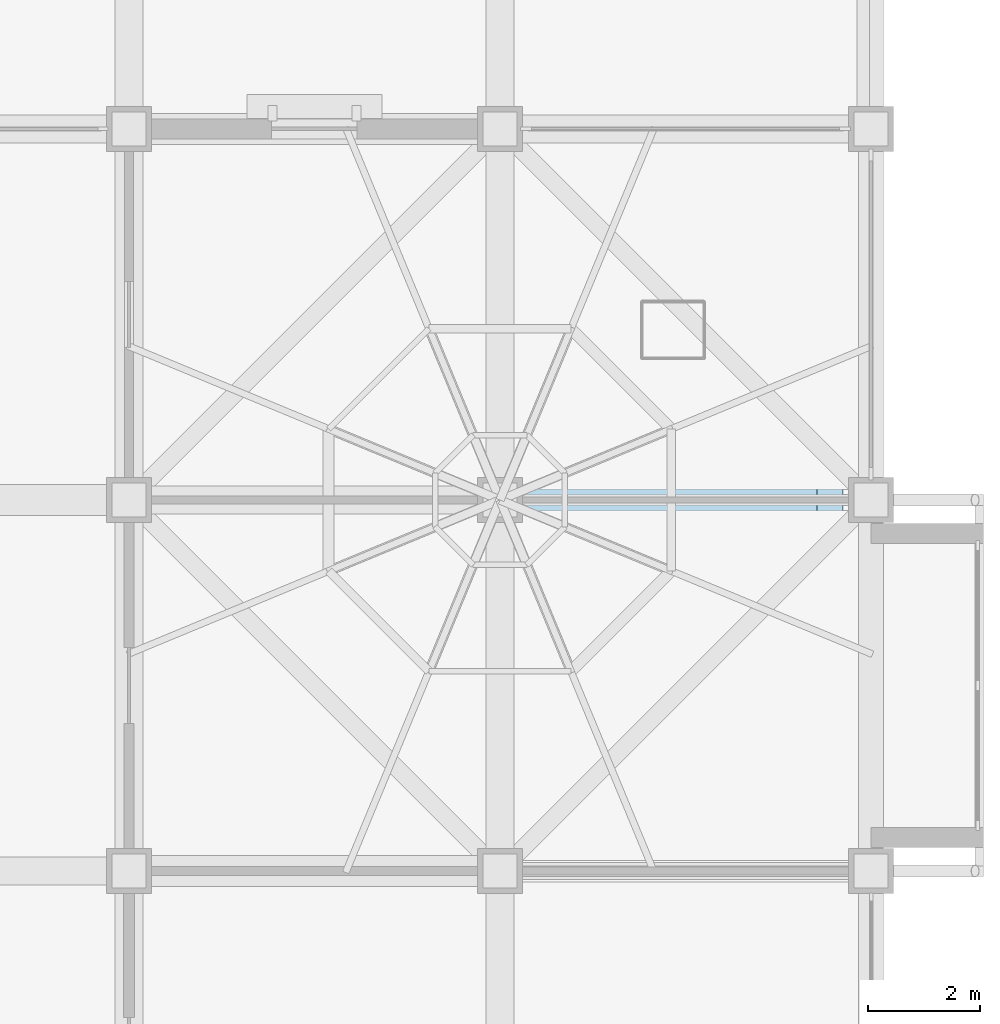
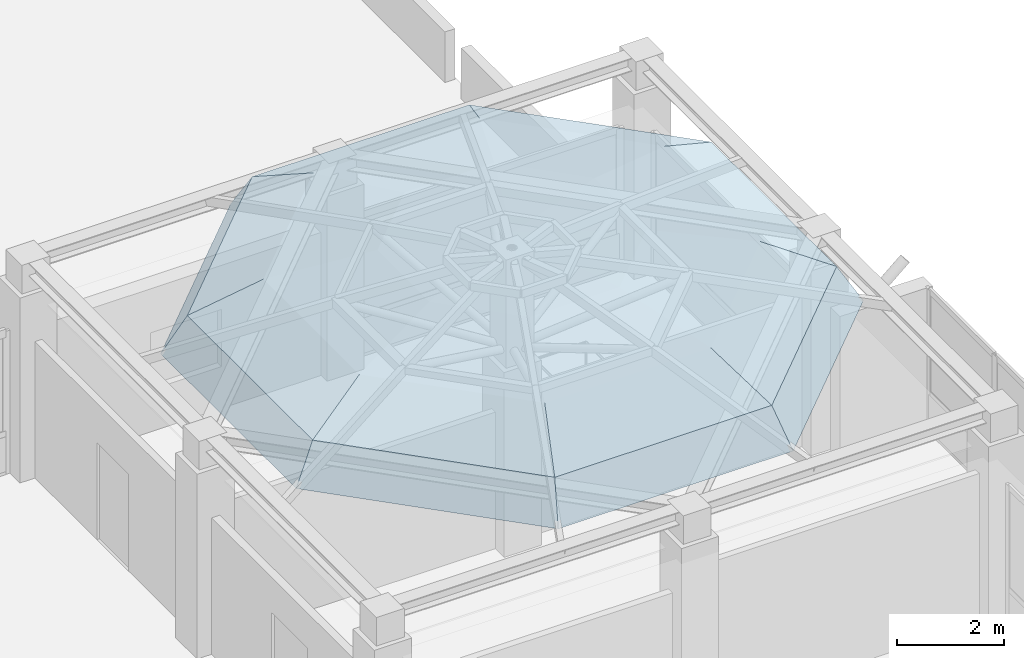
# One storey, part 27 of 30: 1 roof.
"""IFC4 building model written with IfcOpenShell, lengths in metres."""

from ifc_helpers import new_model, si_unit, direction, frame, origin, place, context, subcontext, project, spatial, polygons, material, layer, layer_set, type_object, element, save


model = new_model("IFC4")

# Units and contexts
model_context = context("Model", 3, precision=1e-05, world=origin(), true_north=direction((0.0, 1.0)))
body_context = subcontext(model_context, "Body", "Model", "MODEL_VIEW")
ifc_project = project(units=[si_unit("LENGTHUNIT", "METRE"), si_unit("AREAUNIT", "SQUARE_METRE"), si_unit("VOLUMEUNIT", "CUBIC_METRE"), si_unit("PLANEANGLEUNIT", "RADIAN"), si_unit("MASSUNIT", "GRAM", prefix="KILO")], contexts=[model_context])

# Site, building, storey
site_placement = place(None, origin())
site = spatial("IfcSite", under=ifc_project, at=site_placement, CompositionType="ELEMENT")
building_placement = place(site_placement, origin())
building = spatial("IfcBuilding", under=site, at=building_placement, Name="Rusizi Kubbe Research Institute", CompositionType="ELEMENT")
storey_placement = place(building_placement, frame((0.0, 0.0, 10.199951171875)))
storey = spatial("IfcBuildingStorey", under=building, at=storey_placement, Name="L02", CompositionType="ELEMENT", Elevation=10.199951171875)

# Roof
ifc_material = material(Name="Standing Seam Zinc Insulated Shell")
ifc_layer = layer(ifc_material, 0.179931640625)
ifc_layer_set = layer_set([ifc_layer], Name="Standing Seam Zinc Insulated Shell")
roof_type = type_object("IfcRoofType", Name="RF-03", PredefinedType="DOME_ROOF", material=ifc_layer_set)
roof_placement = place(storey_placement, frame((19.800048828125, 112.199951171875, 4.85009765625)))
element("IfcRoof", 1, at=roof_placement, inside=storey, type_object=roof_type, Name="Lecture Pavilion Kubbe Dome Roof", PredefinedType="DOME_ROOF", context=body_context, shape_type="Tessellation", body=[
    polygons([(6.09765625, 2.525634765625, 0.0), (2.525634765625, 6.09765625, 0.0), (-2.525634765625, 6.09765625, 0.0), (-6.09765625, 2.525634765625, 0.0), (-6.09765625, -2.525634765625, 0.0), (-2.525634765625, -6.09765625, 0.0), (2.525634765625, -6.09765625, 0.0), (6.09765625, -2.525634765625, 0.0), (5.633544921875, 2.33349609375, 0.82275390625), (2.33349609375, 5.633544921875, 0.82275390625), (-2.33349609375, 5.633544921875, 0.82275390625), (-5.633544921875, 2.33349609375, 0.82275390625), (-5.633544921875, -2.33349609375, 0.82275390625), (-2.33349609375, -5.633544921875, 0.82275390625), (2.33349609375, -5.633544921875, 0.82275390625), (5.633544921875, -2.33349609375, 0.82275390625), (4.311767578125, 1.785888671875, 1.520263671875), (1.785888671875, 4.311767578125, 1.520263671875), (-1.785888671875, 4.311767578125, 1.520263671875), (-4.311767578125, 1.785888671875, 1.520263671875), (-4.311767578125, -1.785888671875, 1.520263671875), (-1.785888671875, -4.311767578125, 1.520263671875), (1.785888671875, -4.311767578125, 1.520263671875), (4.311767578125, -1.785888671875, 1.520263671875), (2.33349609375, 0.966552734375, 1.986328125), (0.966552734375, 2.33349609375, 1.986328125), (-0.966552734375, 2.33349609375, 1.986328125), (-2.33349609375, 0.966552734375, 1.986328125), (-2.33349609375, -0.966552734375, 1.986328125), (-0.966552734375, -2.33349609375, 1.986328125), (0.966552734375, -2.33349609375, 1.986328125), (2.33349609375, -0.966552734375, 1.986328125), (0.0, 0.0, 2.14990234375), (5.931396484375, 2.456787109375, 0.0), (2.456787109375, 5.931396484375, 0.0), (-2.456787109375, 5.931396484375, 0.0), (-5.931396484375, 2.456787109375, 0.0), (-5.931396484375, -2.456787109375, 0.0), (-2.456787109375, -5.931396484375, 0.0), (2.456787109375, -5.931396484375, 0.0), (5.931396484375, -2.456787109375, 0.0), (5.479736328125, 2.269775390625, 0.75390625), (2.269775390625, 5.479736328125, 0.75390625), (-2.269775390625, 5.479736328125, 0.75390625), (-5.479736328125, 2.269775390625, 0.75390625), (-5.479736328125, -2.269775390625, 0.75390625), (-2.269775390625, -5.479736328125, 0.75390625), (2.269775390625, -5.479736328125, 0.75390625), (5.479736328125, -2.269775390625, 0.75390625), (4.194091796875, 1.7373046875, 1.39306640625), (1.7373046875, 4.194091796875, 1.39306640625), (-1.7373046875, 4.194091796875, 1.39306640625), (-4.194091796875, 1.7373046875, 1.39306640625), (-4.194091796875, -1.7373046875, 1.39306640625), (-1.7373046875, -4.194091796875, 1.39306640625), (1.7373046875, -4.194091796875, 1.39306640625), (4.194091796875, -1.7373046875, 1.39306640625), (2.269775390625, 0.940185546875, 1.820068359375), (0.940185546875, 2.269775390625, 1.820068359375), (-0.940185546875, 2.269775390625, 1.820068359375), (-2.269775390625, 0.940185546875, 1.820068359375), (-2.269775390625, -0.940185546875, 1.820068359375), (-0.940185546875, -2.269775390625, 1.820068359375), (0.940185546875, -2.269775390625, 1.820068359375), (2.269775390625, -0.940185546875, 1.820068359375), (0.0, 0.0, 1.969970703125)], [[[1, 2, 10, 9]], [[2, 3, 11, 10]], [[3, 4, 12, 11]], [[4, 5, 13, 12]], [[5, 6, 14, 13]], [[6, 7, 15, 14]], [[7, 8, 16, 15]], [[8, 1, 9, 16]], [[9, 10, 18, 17]], [[10, 11, 19, 18]], [[11, 12, 20, 19]], [[12, 13, 21, 20]], [[13, 14, 22, 21]], [[14, 15, 23, 22]], [[15, 16, 24, 23]], [[16, 9, 17, 24]], [[17, 18, 26, 25]], [[18, 19, 27, 26]], [[19, 20, 28, 27]], [[20, 21, 29, 28]], [[21, 22, 30, 29]], [[22, 23, 31, 30]], [[23, 24, 32, 31]], [[24, 17, 25, 32]], [[25, 26, 33]], [[26, 27, 33]], [[27, 28, 33]], [[28, 29, 33]], [[29, 30, 33]], [[30, 31, 33]], [[31, 32, 33]], [[32, 25, 33]], [[34, 42, 43, 35]], [[35, 43, 44, 36]], [[36, 44, 45, 37]], [[37, 45, 46, 38]], [[38, 46, 47, 39]], [[39, 47, 48, 40]], [[40, 48, 49, 41]], [[41, 49, 42, 34]], [[42, 50, 51, 43]], [[43, 51, 52, 44]], [[44, 52, 53, 45]], [[45, 53, 54, 46]], [[46, 54, 55, 47]], [[47, 55, 56, 48]], [[48, 56, 57, 49]], [[49, 57, 50, 42]], [[50, 58, 59, 51]], [[51, 59, 60, 52]], [[52, 60, 61, 53]], [[53, 61, 62, 54]], [[54, 62, 63, 55]], [[55, 63, 64, 56]], [[56, 64, 65, 57]], [[57, 65, 58, 50]], [[58, 66, 59]], [[59, 66, 60]], [[60, 66, 61]], [[61, 66, 62]], [[62, 66, 63]], [[63, 66, 64]], [[64, 66, 65]], [[65, 66, 58]], [[1, 34, 35, 2]], [[2, 35, 36, 3]], [[3, 36, 37, 4]], [[4, 37, 38, 5]], [[5, 38, 39, 6]], [[6, 39, 40, 7]], [[7, 40, 41, 8]], [[8, 41, 34, 1]]], closed=True),
])

save(model, "model.ifc")
